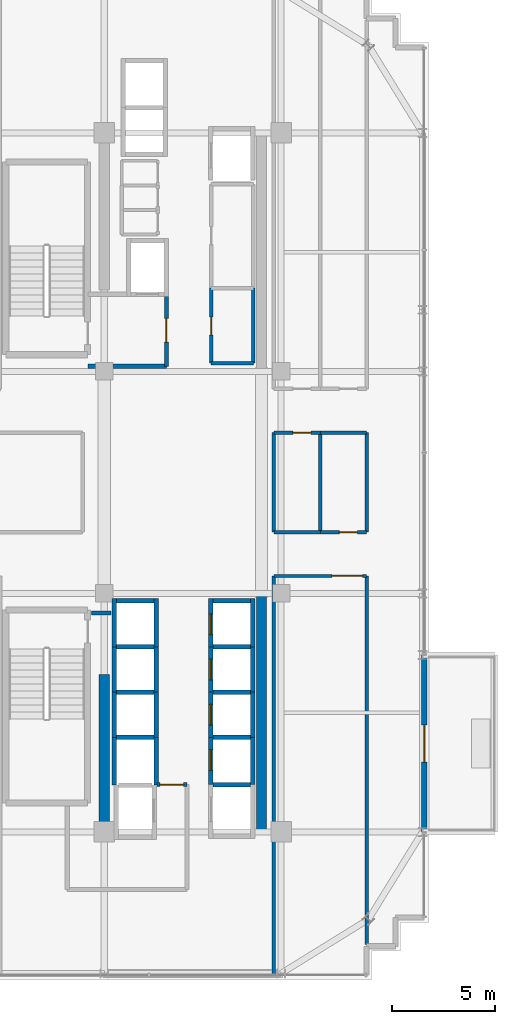
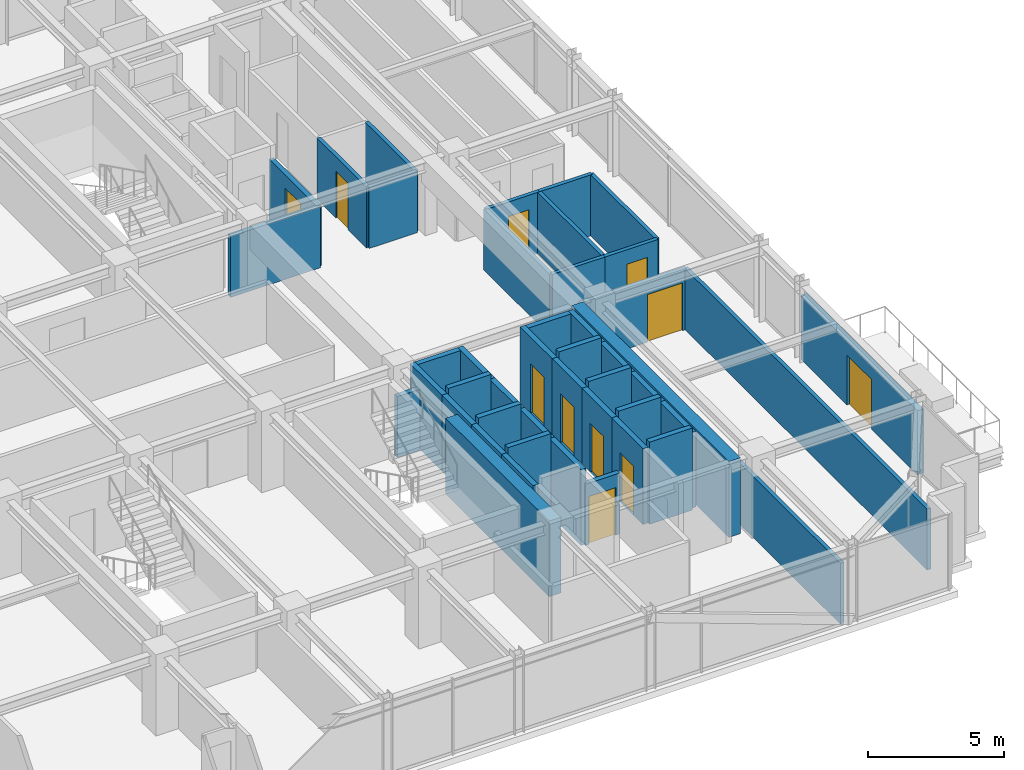
# One storey, part 31 of 36: 45 walls, 11 doors, 11 openings.
"""IFC4 building model written with IfcOpenShell, lengths in metres."""

from ifc_helpers import new_model, si_unit, direction, frame, frame_2d, origin, place, context, subcontext, project, spatial, rectangle, extrude, source, transform, mapped, material, layer, layer_set, type_object, element, fill, save


model = new_model("IFC4")

# Units and contexts
model_context = context("Model", 3, precision=1e-05, world=origin(), true_north=direction((0.0, 1.0)))
body_context = subcontext(model_context, "Body", "Model", "MODEL_VIEW")
ifc_project = project(units=[si_unit("LENGTHUNIT", "METRE"), si_unit("AREAUNIT", "SQUARE_METRE"), si_unit("VOLUMEUNIT", "CUBIC_METRE"), si_unit("PLANEANGLEUNIT", "RADIAN"), si_unit("MASSUNIT", "GRAM", prefix="KILO")], contexts=[model_context])

# Site, building, storey
site_placement = place(None, origin())
site = spatial("IfcSite", under=ifc_project, at=site_placement, CompositionType="ELEMENT")
building_placement = place(site_placement, origin())
building = spatial("IfcBuilding", under=site, at=building_placement, Name="Nahalor Promenade Grand Hotel", CompositionType="ELEMENT")
storey_placement = place(building_placement, frame((0.0, 0.0, 234.5)))
storey = spatial("IfcBuildingStorey", under=building, at=storey_placement, Name="L60", CompositionType="ELEMENT", Elevation=234.5)

# Walls
ifc_material_1 = material(Name="Concrete B-60 (C50/60)", Category="concrete")
ifc_layer_1 = layer(ifc_material_1, 0.5)
ifc_layer_set_1 = layer_set([ifc_layer_1], Name="Concrete B-60 (C50/60)")
wall_type_1 = type_object("IfcWallType", Name="Wall-CoreShear-500", PredefinedType="SHEAR", material=ifc_layer_set_1)
shared_shape_1 = source(origin(), body_context, "Body", "SweptSolid", [
    extrude(rectangle(XDim=7.64990234375, YDim=0.5, at=frame_2d((3.824951171875, 0.0))), origin(), (0.0, 0.0, 1.0), 3.409912109375),
])
wall_1_placement = place(storey_placement, frame((8.39990234375, -17.0, 0.0), z_axis=(0.0, 0.0, 1.0), x_axis=(0.0, 1.0, 0.0)))
element("IfcWall", 1, at=wall_1_placement, inside=storey, type_object=wall_type_1, Name="CWALL-L60-SW", PredefinedType="SHEAR", context=body_context, shape_type="MappedRepresentation", body=[
    mapped(shared_shape_1, transform((0.0, 0.0, 0.0), scale=1.0)),
])
shared_shape_2 = source(origin(), body_context, "Body", "SweptSolid", [
    extrude(rectangle(XDim=11.60009765625, YDim=0.5, at=frame_2d((5.800048828125, 0.0))), origin(), (0.0, 0.0, 1.0), 3.409912109375),
])
wall_2_placement = place(storey_placement, frame((16.050048828125, -17.0, 0.0), z_axis=(0.0, 0.0, 1.0), x_axis=(0.0, 1.0, 0.0)))
element("IfcWall", 2, at=wall_2_placement, inside=storey, type_object=wall_type_1, Name="CWALL-L60-SE", PredefinedType="SHEAR", context=body_context, shape_type="MappedRepresentation", body=[
    mapped(shared_shape_2, transform((0.0, 0.0, 0.0), scale=1.0)),
])

# Wall, opening, door
ifc_material_2 = material(Name="Concrete B-50 (C40/50)", Category="concrete")
ifc_layer_2 = layer(ifc_material_2, 0.219970703125)
ifc_layer_set_2 = layer_set([ifc_layer_2], Name="Concrete B-50 (C40/50)")
wall_type_2 = type_object("IfcWallType", Name="Wall-LiftShaft-220", PredefinedType="SHEAR", material=ifc_layer_set_2)
shared_shape_3 = source(origin(), body_context, "Body", "SweptSolid", [
    extrude(rectangle(XDim=2.360107421875, YDim=0.219970703125, at=frame_2d((1.18017578125, 0.0))), origin(), (0.0, 0.0, 1.0), 3.409912109375),
])
wall_3_placement = place(storey_placement, frame((13.580078125, -8.0, 0.0), z_axis=(0.0, 0.0, 1.0), x_axis=(0.0, 1.0, 0.0)))
wall_3 = element("IfcWall", 3, at=wall_3_placement, inside=storey, type_object=wall_type_2, Name="L60 Lift PL5 Hoistway Wall W", PredefinedType="SHEAR", context=body_context, shape_type="MappedRepresentation", body=[
    mapped(shared_shape_3, transform((0.0, 0.0, 0.0), scale=1.0)),
])
opening_1_placement = place(wall_3_placement, frame((0.60009765625, 0.0, 0.0)))
opening_1 = element("IfcOpeningElement", 4, at=opening_1_placement, cuts=wall_3, Name="Opening LD-01", PredefinedType="OPENING", context=body_context, shape_type="SweptSolid", body=[
    extrude(rectangle(XDim=1.0, YDim=2.199951171875, at=frame_2d((0.5, 1.10009765625))), frame((0.0, 0.119873046875, 0.0), z_axis=(0.0, -1.0, 0.0), x_axis=(1.0, 0.0, 0.0)), (0.0, 0.0, 1.0), 0.239990234375),
])
ifc_material_3 = material(Name="Steel S355JR", Category="steel")
door_type_1 = type_object("IfcDoorType", Name="Door-LiftLanding-1000", OperationType="DOUBLE_DOOR_SLIDING", PredefinedType="DOOR", material=ifc_material_3)
shared_shape_4 = source(origin(), body_context, "Body", "SweptSolid", [
    extrude(rectangle(XDim=1.0, YDim=2.199951171875, at=frame_2d((0.5, 1.10009765625))), frame((0.0, 0.02490234375, 0.0), z_axis=(0.0, -1.0, 0.0), x_axis=(1.0, 0.0, 0.0)), (0.0, 0.0, 1.0), 0.050048828125),
])
door_1_placement = place(opening_1_placement, origin())
door_1 = element("IfcDoor", 5, at=door_1_placement, inside=storey, type_object=door_type_1, Name="DR-LIFT-PL5-L60", OperationType="DOUBLE_DOOR_SLIDING", OverallHeight=2.199951171875, OverallWidth=1.0, PredefinedType="DOOR", context=body_context, shape_type="MappedRepresentation", body=[
    mapped(shared_shape_4, transform((0.0, 0.0, 0.0), scale=1.0)),
])
fill(opening_1, door_1)

# Walls
for number, where, z_axis, x_axis, name in (
    (6, (15.6201171875, -8.0, 0.0), (0.0, 0.0, 1.0), (0.0, 1.0, 0.0), "L60 Lift PL5 Hoistway Wall E"),
    (7, (8.8798828125, -8.0, 0.0), (0.0, 0.0, 1.0), (0.0, 1.0, 0.0), "L60 Lift PL9 Hoistway Wall W"),
    (8, (10.919921875, -8.0, 0.0), (0.0, 0.0, 1.0), (0.0, 1.0, 0.0), "L60 Lift PL9 Hoistway Wall E"),
):
    element("IfcWall", number, at=place(storey_placement, frame(where, z_axis=z_axis, x_axis=x_axis)), inside=storey, type_object=wall_type_2, Name=name, PredefinedType="SHEAR", context=body_context, shape_type="MappedRepresentation", body=[
        mapped(shared_shape_3, transform((0.0, 0.0, 0.0), scale=1.0)),
    ])
shared_shape_5 = source(origin(), body_context, "Body", "SweptSolid", [
    extrude(rectangle(XDim=1.820068359375, YDim=0.219970703125, at=frame_2d((0.91015625, 0.0))), origin(), (0.0, 0.0, 1.0), 3.409912109375),
])
for number, where, z_axis, x_axis, name in (
    (9, (13.68994140625, -5.75, 0.0), (0.0, 0.0, 1.0), (1.0, 0.0, 0.0), "L60 Lift PL5 Hoistway Wall N"),
    (10, (8.989990234375, -5.75, 0.0), (0.0, 0.0, 1.0), (1.0, 0.0, 0.0), "L60 Lift PL9 Hoistway Wall N"),
):
    element("IfcWall", number, at=place(storey_placement, frame(where, z_axis=z_axis, x_axis=x_axis)), inside=storey, type_object=wall_type_2, Name=name, PredefinedType="SHEAR", context=body_context, shape_type="MappedRepresentation", body=[
        mapped(shared_shape_5, transform((0.0, 0.0, 0.0), scale=1.0)),
    ])

# Wall, opening, door
shared_shape_6 = source(origin(), body_context, "Body", "SweptSolid", [
    extrude(rectangle(XDim=2.199951171875, YDim=0.219970703125, at=frame_2d((1.10009765625, 0.0))), origin(), (0.0, 0.0, 1.0), 3.409912109375),
])
wall_4_placement = place(storey_placement, frame((13.580078125, -10.199951171875, 0.0), z_axis=(0.0, 0.0, 1.0), x_axis=(0.0, 1.0, 0.0)))
wall_4 = element("IfcWall", 11, at=wall_4_placement, inside=storey, type_object=wall_type_2, Name="L60 Lift PL6 Hoistway Wall W", PredefinedType="SHEAR", context=body_context, shape_type="MappedRepresentation", body=[
    mapped(shared_shape_6, transform((0.0, 0.0, 0.0), scale=1.0)),
])
opening_2_placement = place(wall_4_placement, frame((0.60009765625, 0.0, 0.0)))
opening_2 = element("IfcOpeningElement", 12, at=opening_2_placement, cuts=wall_4, Name="Opening LD-01", PredefinedType="OPENING", context=body_context, shape_type="SweptSolid", body=[
    extrude(rectangle(XDim=1.0, YDim=2.199951171875, at=frame_2d((0.5, 1.10009765625))), frame((0.0, 0.119873046875, 0.0), z_axis=(0.0, -1.0, 0.0), x_axis=(1.0, 0.0, 0.0)), (0.0, 0.0, 1.0), 0.239990234375),
])
door_2_placement = place(opening_2_placement, origin())
door_2 = element("IfcDoor", 13, at=door_2_placement, inside=storey, type_object=door_type_1, Name="DR-LIFT-PL6-L60", OperationType="DOUBLE_DOOR_SLIDING", OverallHeight=2.199951171875, OverallWidth=1.0, PredefinedType="DOOR", context=body_context, shape_type="MappedRepresentation", body=[
    mapped(shared_shape_4, transform((0.0, 0.0, 0.0), scale=1.0)),
])
fill(opening_2, door_2)

# Wall
wall_5_placement = place(storey_placement, frame((15.6201171875, -10.199951171875, 0.0), z_axis=(0.0, 0.0, 1.0), x_axis=(0.0, 1.0, 0.0)))
element("IfcWall", 14, at=wall_5_placement, inside=storey, type_object=wall_type_2, Name="L60 Lift PL6 Hoistway Wall E", PredefinedType="SHEAR", context=body_context, shape_type="MappedRepresentation", body=[
    mapped(shared_shape_6, transform((0.0, 0.0, 0.0), scale=1.0)),
])

# Wall, opening, door
wall_6_placement = place(storey_placement, frame((13.580078125, -12.39990234375, 0.0), z_axis=(0.0, 0.0, 1.0), x_axis=(0.0, 1.0, 0.0)))
wall_6 = element("IfcWall", 15, at=wall_6_placement, inside=storey, type_object=wall_type_2, Name="L60 Lift PL7 Hoistway Wall W", PredefinedType="SHEAR", context=body_context, shape_type="MappedRepresentation", body=[
    mapped(shared_shape_6, transform((0.0, 0.0, 0.0), scale=1.0)),
])
opening_3_placement = place(wall_6_placement, frame((0.60009765625, 0.0, 0.0)))
opening_3 = element("IfcOpeningElement", 16, at=opening_3_placement, cuts=wall_6, Name="Opening LD-01", PredefinedType="OPENING", context=body_context, shape_type="SweptSolid", body=[
    extrude(rectangle(XDim=1.0, YDim=2.199951171875, at=frame_2d((0.5, 1.10009765625))), frame((0.0, 0.119873046875, 0.0), z_axis=(0.0, -1.0, 0.0), x_axis=(1.0, 0.0, 0.0)), (0.0, 0.0, 1.0), 0.239990234375),
])
door_3_placement = place(opening_3_placement, origin())
door_3 = element("IfcDoor", 17, at=door_3_placement, inside=storey, type_object=door_type_1, Name="DR-LIFT-PL7-L60", OperationType="DOUBLE_DOOR_SLIDING", OverallHeight=2.199951171875, OverallWidth=1.0, PredefinedType="DOOR", context=body_context, shape_type="MappedRepresentation", body=[
    mapped(shared_shape_4, transform((0.0, 0.0, 0.0), scale=1.0)),
])
fill(opening_3, door_3)

# Walls
for number, where, z_axis, x_axis, name in (
    (18, (15.6201171875, -12.39990234375, 0.0), (0.0, 0.0, 1.0), (0.0, 1.0, 0.0), "L60 Lift PL7 Hoistway Wall E"),
    (19, (8.8798828125, -10.199951171875, 0.0), (0.0, 0.0, 1.0), (0.0, 1.0, 0.0), "L60 Lift PL10 Hoistway Wall W"),
    (20, (10.919921875, -10.199951171875, 0.0), (0.0, 0.0, 1.0), (0.0, 1.0, 0.0), "L60 Lift PL10 Hoistway Wall E"),
    (21, (8.8798828125, -12.39990234375, 0.0), (0.0, 0.0, 1.0), (0.0, 1.0, 0.0), "L60 Lift PL11 Hoistway Wall W"),
    (22, (10.919921875, -12.39990234375, 0.0), (0.0, 0.0, 1.0), (0.0, 1.0, 0.0), "L60 Lift PL11 Hoistway Wall E"),
):
    element("IfcWall", number, at=place(storey_placement, frame(where, z_axis=z_axis, x_axis=x_axis)), inside=storey, type_object=wall_type_2, Name=name, PredefinedType="SHEAR", context=body_context, shape_type="MappedRepresentation", body=[
        mapped(shared_shape_6, transform((0.0, 0.0, 0.0), scale=1.0)),
    ])
shared_shape_7 = source(origin(), body_context, "Body", "SweptSolid", [
    extrude(rectangle(XDim=1.820068359375, YDim=0.219970703125, at=frame_2d((0.91015625, 0.0))), origin(), (0.0, 0.0, 1.0), 3.699951171875),
])
for number, where, z_axis, x_axis, name in (
    (23, (13.68994140625, -8.0, 0.0), (0.0, 0.0, 1.0), (1.0, 0.0, 0.0), "L60 Lift PL6 Hoistway Wall N"),
    (24, (13.68994140625, -10.199951171875, 0.0), (0.0, 0.0, 1.0), (1.0, 0.0, 0.0), "L60 Lift PL7 Hoistway Wall N"),
    (25, (13.68994140625, -12.39990234375, 0.0), (0.0, 0.0, 1.0), (1.0, 0.0, 0.0), "L60 Lift PL8 Hoistway Wall N"),
    (26, (8.989990234375, -8.0, 0.0), (0.0, 0.0, 1.0), (1.0, 0.0, 0.0), "L60 Lift PL10 Hoistway Wall N"),
    (27, (8.989990234375, -10.199951171875, 0.0), (0.0, 0.0, 1.0), (1.0, 0.0, 0.0), "L60 Lift PL11 Hoistway Wall N"),
    (28, (8.989990234375, -12.39990234375, 0.0), (0.0, 0.0, 1.0), (1.0, 0.0, 0.0), "L60 Lift PL12 Hoistway Wall N"),
    (29, (13.68994140625, -14.699951171875, 0.0), (0.0, 0.0, 1.0), (1.0, 0.0, 0.0), "L60 Lift SV2 Hoistway Wall N"),
):
    element("IfcWall", number, at=place(storey_placement, frame(where, z_axis=z_axis, x_axis=x_axis)), inside=storey, type_object=wall_type_2, Name=name, PredefinedType="SHEAR", context=body_context, shape_type="MappedRepresentation", body=[
        mapped(shared_shape_7, transform((0.0, 0.0, 0.0), scale=1.0)),
    ])

# Wall, opening, door
shared_shape_8 = source(origin(), body_context, "Body", "SweptSolid", [
    extrude(rectangle(XDim=2.300048828125, YDim=0.219970703125, at=frame_2d((1.14990234375, 0.0))), origin(), (0.0, 0.0, 1.0), 3.409912109375),
])
wall_7_placement = place(storey_placement, frame((13.580078125, -14.699951171875, 0.0), z_axis=(0.0, 0.0, 1.0), x_axis=(0.0, 1.0, 0.0)))
wall_7 = element("IfcWall", 30, at=wall_7_placement, inside=storey, type_object=wall_type_2, Name="L60 Lift PL8 Hoistway Wall W", PredefinedType="SHEAR", context=body_context, shape_type="MappedRepresentation", body=[
    mapped(shared_shape_8, transform((0.0, 0.0, 0.0), scale=1.0)),
])
opening_4_placement = place(wall_7_placement, frame((0.699951171875, 0.0, 0.0)))
opening_4 = element("IfcOpeningElement", 31, at=opening_4_placement, cuts=wall_7, Name="Opening LD-01", PredefinedType="OPENING", context=body_context, shape_type="SweptSolid", body=[
    extrude(rectangle(XDim=1.0, YDim=2.199951171875, at=frame_2d((0.5, 1.10009765625))), frame((0.0, 0.119873046875, 0.0), z_axis=(0.0, -1.0, 0.0), x_axis=(1.0, 0.0, 0.0)), (0.0, 0.0, 1.0), 0.239990234375),
])
door_4_placement = place(opening_4_placement, origin())
door_4 = element("IfcDoor", 32, at=door_4_placement, inside=storey, type_object=door_type_1, Name="DR-LIFT-PL8-L60", OperationType="DOUBLE_DOOR_SLIDING", OverallHeight=2.199951171875, OverallWidth=1.0, PredefinedType="DOOR", context=body_context, shape_type="MappedRepresentation", body=[
    mapped(shared_shape_4, transform((0.0, 0.0, 0.0), scale=1.0)),
])
fill(opening_4, door_4)

# Walls
wall_8_placement = place(storey_placement, frame((15.6201171875, -14.699951171875, 0.0), z_axis=(0.0, 0.0, 1.0), x_axis=(0.0, 1.0, 0.0)))
element("IfcWall", 33, at=wall_8_placement, inside=storey, type_object=wall_type_2, Name="L60 Lift PL8 Hoistway Wall E", PredefinedType="SHEAR", context=body_context, shape_type="MappedRepresentation", body=[
    mapped(shared_shape_8, transform((0.0, 0.0, 0.0), scale=1.0)),
])
shared_shape_9 = source(origin(), body_context, "Body", "SweptSolid", [
    extrude(rectangle(XDim=2.3251953125, YDim=0.219970703125, at=frame_2d((1.16259765625, 0.0))), origin(), (0.0, 0.0, 1.0), 3.409912109375),
])
for number, where, z_axis, x_axis, name in (
    (34, (8.8798828125, -14.72509765625, 0.0), (0.0, 0.0, 1.0), (0.0, 1.0, 0.0), "L60 Lift PL12 Hoistway Wall W"),
    (35, (10.919921875, -14.72509765625, 0.0), (0.0, 0.0, 1.0), (0.0, 1.0, 0.0), "L60 Lift PL12 Hoistway Wall E"),
):
    element("IfcWall", number, at=place(storey_placement, frame(where, z_axis=z_axis, x_axis=x_axis)), inside=storey, type_object=wall_type_2, Name=name, PredefinedType="SHEAR", context=body_context, shape_type="MappedRepresentation", body=[
        mapped(shared_shape_9, transform((0.0, 0.0, 0.0), scale=1.0)),
    ])

# Wall, opening, door
ifc_material_4 = material(Name="Concrete B-40 (C32/40)", Category="concrete")
ifc_layer_3 = layer(ifc_material_4, 0.260009765625)
ifc_layer_set_3 = layer_set([ifc_layer_3], Name="Concrete B-40 (C32/40)")
wall_type_3 = type_object("IfcWallType", Name="Wall-BalconyWall-260", PredefinedType="STANDARD", material=ifc_layer_set_3)
shared_shape_10 = source(origin(), body_context, "Body", "SweptSolid", [
    extrude(rectangle(XDim=8.60009765625, YDim=0.260009765625, at=frame_2d((4.300048828125, 0.0))), origin(), (0.0, 0.0, 1.0), 2.889892578125),
])
wall_9_placement = place(storey_placement, frame((23.9599609375, -17.0, 0.0), z_axis=(0.0, 0.0, 1.0), x_axis=(0.0, 1.0, 0.0)))
wall_9 = element("IfcWall", 36, at=wall_9_placement, inside=storey, type_object=wall_type_3, Name="W-L60-BALC-E-2", PredefinedType="STANDARD", context=body_context, shape_type="MappedRepresentation", body=[
    mapped(shared_shape_10, transform((0.0, 0.0, 0.0), scale=1.0)),
])
opening_5_placement = place(wall_9_placement, frame((3.39990234375, 0.0, 0.0)))
opening_5 = element("IfcOpeningElement", 37, at=opening_5_placement, cuts=wall_9, Name="Opening D-BC1", PredefinedType="OPENING", context=body_context, shape_type="SweptSolid", body=[
    extrude(rectangle(XDim=1.800048828125, YDim=2.25, at=frame_2d((0.89990234375, 1.125))), frame((0.0, 0.139892578125, 0.0), z_axis=(0.0, -1.0, 0.0), x_axis=(1.0, 0.0, 0.0)), (0.0, 0.0, 1.0), 0.280029296875),
])
ifc_material_5 = material(Name="Anodised Bronze Aluminium EN AW-6063 T6", Category="aluminium")
door_type_2 = type_object("IfcDoorType", Name="Door-BalconySlide-1800", OperationType="DOUBLE_DOOR_SLIDING", PredefinedType="DOOR", material=ifc_material_5)
shared_shape_11 = source(origin(), body_context, "Body", "SweptSolid", [
    extrude(rectangle(XDim=1.800048828125, YDim=2.25, at=frame_2d((0.89990234375, 1.125))), frame((0.0, 0.02490234375, 0.0), z_axis=(0.0, -1.0, 0.0), x_axis=(1.0, 0.0, 0.0)), (0.0, 0.0, 1.0), 0.050048828125),
])
door_5_placement = place(opening_5_placement, frame((1.800048828125, 0.0, 0.0), z_axis=(0.0, 0.0, 1.0), x_axis=(-1.0, 0.0, 0.0)))
door_5 = element("IfcDoor", 38, at=door_5_placement, inside=storey, type_object=door_type_2, Name="DR-L60-BALC-E-2", OperationType="DOUBLE_DOOR_SLIDING", OverallHeight=2.25, OverallWidth=1.800048828125, PredefinedType="DOOR", context=body_context, shape_type="MappedRepresentation", body=[
    mapped(shared_shape_11, transform((0.0, 0.0, 0.0), scale=1.0)),
])
fill(opening_5, door_5)

# Wall
ifc_layer_4 = layer(ifc_material_4, 0.199951171875)
ifc_layer_set_4 = layer_set([ifc_layer_4], Name="Concrete B-40 (C32/40)")
wall_type_4 = type_object("IfcWallType", Name="Wall-PartFire-200", PredefinedType="PARTITIONING", material=ifc_layer_set_4)
shared_shape_12 = source(origin(), body_context, "Body", "SweptSolid", [
    extrude(rectangle(XDim=3.81982421875, YDim=0.199951171875, at=frame_2d((1.909912109375, 0.0))), origin(), (0.0, 0.0, 1.0), 2.75),
])
wall_10_placement = place(storey_placement, frame((7.60009765625, 5.64990234375, 0.0), z_axis=(0.0, 0.0, 1.0), x_axis=(1.0, 0.0, 0.0)))
element("IfcWall", 39, at=wall_10_placement, inside=storey, type_object=wall_type_4, Name="W-L60-FF1-S", PredefinedType="PARTITIONING", context=body_context, shape_type="MappedRepresentation", body=[
    mapped(shared_shape_12, transform((0.0, 0.0, 0.0), scale=1.0)),
])

# Wall, opening, door
shared_shape_13 = source(origin(), body_context, "Body", "SweptSolid", [
    extrude(rectangle(XDim=3.5, YDim=0.199951171875, at=frame_2d((1.75, 0.0))), origin(), (0.0, 0.0, 1.0), 2.75),
])
wall_11_placement = place(storey_placement, frame((11.419921875, 5.64990234375, 0.0), z_axis=(0.0, 0.0, 1.0), x_axis=(0.0, 1.0, 0.0)))
wall_11 = element("IfcWall", 40, at=wall_11_placement, inside=storey, type_object=wall_type_4, Name="W-L60-FF1-E", PredefinedType="PARTITIONING", context=body_context, shape_type="MappedRepresentation", body=[
    mapped(shared_shape_13, transform((0.0, 0.0, 0.0), scale=1.0)),
])
opening_6_placement = place(wall_11_placement, frame((1.175048828125, 0.0, 0.0)))
opening_6 = element("IfcOpeningElement", 41, at=opening_6_placement, cuts=wall_11, Name="Opening D-FF1", PredefinedType="OPENING", context=body_context, shape_type="SweptSolid", body=[
    extrude(rectangle(XDim=1.14990234375, YDim=2.14990234375, at=frame_2d((0.574951171875, 1.074951171875))), frame((0.0, 0.10986328125, 0.0), z_axis=(0.0, -1.0, 0.0), x_axis=(1.0, 0.0, 0.0)), (0.0, 0.0, 1.0), 0.219970703125),
])
door_type_3 = type_object("IfcDoorType", Name="Door-FFLobby-1150", OperationType="NOTDEFINED", PredefinedType="DOOR", material=ifc_material_3)
shared_shape_14 = source(origin(), body_context, "Body", "SweptSolid", [
    extrude(rectangle(XDim=1.14990234375, YDim=2.14990234375, at=frame_2d((0.574951171875, 1.074951171875))), frame((0.0, 0.02490234375, 0.0), z_axis=(0.0, -1.0, 0.0), x_axis=(1.0, 0.0, 0.0)), (0.0, 0.0, 1.0), 0.050048828125),
])
door_6_placement = place(opening_6_placement, frame((1.14990234375, 0.0, 0.0), z_axis=(0.0, 0.0, 1.0), x_axis=(-1.0, 0.0, 0.0)))
door_6 = element("IfcDoor", 42, at=door_6_placement, inside=storey, type_object=door_type_3, Name="DR-L60-FFL1", OperationType="SINGLE_SWING_RIGHT", OverallHeight=2.14990234375, OverallWidth=1.14990234375, PredefinedType="DOOR", context=body_context, shape_type="MappedRepresentation", body=[
    mapped(shared_shape_14, transform((0.0, 0.0, 0.0), scale=1.0)),
])
fill(opening_6, door_6)

shared_shape_15 = source(origin(), body_context, "Body", "SweptSolid", [
    extrude(rectangle(XDim=1.4599609375, YDim=0.199951171875, at=frame_2d((0.72998046875, 0.0))), origin(), (0.0, 0.0, 1.0), 2.75),
])
wall_12_placement = place(storey_placement, frame((10.9599609375, -14.699951171875, 0.0), z_axis=(0.0, 0.0, 1.0), x_axis=(1.0, 0.0, 0.0)))
wall_12 = element("IfcWall", 43, at=wall_12_placement, inside=storey, type_object=wall_type_4, Name="W-L60-FF2-N1", PredefinedType="PARTITIONING", context=body_context, shape_type="MappedRepresentation", body=[
    mapped(shared_shape_15, transform((0.0, 0.0, 0.0), scale=1.0)),
])
opening_7_placement = place(wall_12_placement, frame((0.14501953125, 0.0, 0.0)))
opening_7 = element("IfcOpeningElement", 44, at=opening_7_placement, cuts=wall_12, Name="Opening D-FF1", PredefinedType="OPENING", context=body_context, shape_type="SweptSolid", body=[
    extrude(rectangle(XDim=1.14990234375, YDim=2.14990234375, at=frame_2d((0.574951171875, 1.074951171875))), frame((0.0, 0.10986328125, 0.0), z_axis=(0.0, -1.0, 0.0), x_axis=(1.0, 0.0, 0.0)), (0.0, 0.0, 1.0), 0.219970703125),
])
door_7_placement = place(opening_7_placement, origin())
door_7 = element("IfcDoor", 45, at=door_7_placement, inside=storey, type_object=door_type_3, Name="DR-L60-FFL2", OperationType="SINGLE_SWING_LEFT", OverallHeight=2.14990234375, OverallWidth=1.14990234375, PredefinedType="DOOR", context=body_context, shape_type="MappedRepresentation", body=[
    mapped(shared_shape_14, transform((0.0, 0.0, 0.0), scale=1.0)),
])
fill(opening_7, door_7)

# Walls
shared_shape_16 = source(origin(), body_context, "Body", "SweptSolid", [
    extrude(rectangle(XDim=0.969970703125, YDim=0.199951171875, at=frame_2d((0.48486328125, 0.0))), origin(), (0.0, 0.0, 1.0), 2.75),
])
wall_13_placement = place(storey_placement, frame((7.77001953125, -6.35009765625, 0.0), z_axis=(0.0, 0.0, 1.0), x_axis=(1.0, 0.0, 0.0)))
element("IfcWall", 46, at=wall_13_placement, inside=storey, type_object=wall_type_4, Name="W-L60-FF2-N2", PredefinedType="PARTITIONING", context=body_context, shape_type="MappedRepresentation", body=[
    mapped(shared_shape_16, transform((0.0, 0.0, 0.0), scale=1.0)),
])
ifc_material_6 = material(Name="Acoustic Mineral Gypsum", Category="gypsum")
ifc_layer_5 = layer(ifc_material_6, 0.159912109375)
ifc_layer_set_5 = layer_set([ifc_layer_5], Name="Acoustic Mineral Gypsum")
wall_type_5 = type_object("IfcWallType", Name="Wall-PartCorridor-160", PredefinedType="PARTITIONING", material=ifc_layer_set_5)
shared_shape_17 = source(origin(), body_context, "Body", "SweptSolid", [
    extrude(rectangle(XDim=2.0498046875, YDim=0.159912109375, at=frame_2d((1.02490234375, 0.0))), origin(), (0.0, 0.0, 1.0), 2.75),
])
wall_14_placement = place(storey_placement, frame((13.60009765625, 5.800048828125, 0.0), z_axis=(0.0, 0.0, 1.0), x_axis=(1.0, 0.0, 0.0)))
element("IfcWall", 47, at=wall_14_placement, inside=storey, type_object=wall_type_5, Name="W-L60-FRB1A-S", PredefinedType="PARTITIONING", context=body_context, shape_type="MappedRepresentation", body=[
    mapped(shared_shape_17, transform((0.0, 0.0, 0.0), scale=1.0)),
])
shared_shape_18 = source(origin(), body_context, "Body", "SweptSolid", [
    extrude(rectangle(XDim=2.255126953125, YDim=0.159912109375, at=frame_2d((1.12744140625, 0.0))), origin(), (0.0, 0.0, 1.0), 2.75),
])
wall_15_placement = place(storey_placement, frame((16.64990234375, -2.419921875, 0.0), z_axis=(0.0, 0.0, 1.0), x_axis=(1.0, 0.0, 0.0)))
element("IfcWall", 48, at=wall_15_placement, inside=storey, type_object=wall_type_5, Name="W-L60-ECW1-S", PredefinedType="PARTITIONING", context=body_context, shape_type="MappedRepresentation", body=[
    mapped(shared_shape_18, transform((0.0, 0.0, 0.0), scale=1.0)),
])

# Wall, opening, door
wall_16_placement = place(storey_placement, frame((16.64990234375, 2.419921875, 0.0), z_axis=(0.0, 0.0, 1.0), x_axis=(1.0, 0.0, 0.0)))
wall_16 = element("IfcWall", 49, at=wall_16_placement, inside=storey, type_object=wall_type_5, Name="W-L60-ECW1-N", PredefinedType="PARTITIONING", context=body_context, shape_type="MappedRepresentation", body=[
    mapped(shared_shape_18, transform((0.0, 0.0, 0.0), scale=1.0)),
])
opening_8_placement = place(wall_16_placement, frame((0.924072265625, 0.0, 0.0)))
opening_8 = element("IfcOpeningElement", 50, at=opening_8_placement, cuts=wall_16, Name="Opening D-03", PredefinedType="OPENING", context=body_context, shape_type="SweptSolid", body=[
    extrude(rectangle(XDim=0.8798828125, YDim=2.10009765625, at=frame_2d((0.43994140625, 1.050048828125))), frame((0.0, 0.08984375, 0.0), z_axis=(0.0, -1.0, 0.0), x_axis=(1.0, 0.0, 0.0)), (0.0, 0.0, 1.0), 0.179931640625),
])
ifc_material_7 = material(Name="Fire-Rated Timber Composite", Category="wood")
door_type_4 = type_object("IfcDoorType", Name="Door-BathSwing-880", OperationType="NOTDEFINED", PredefinedType="DOOR", material=ifc_material_7)
shared_shape_19 = source(origin(), body_context, "Body", "SweptSolid", [
    extrude(rectangle(XDim=0.8798828125, YDim=2.10009765625, at=frame_2d((0.43994140625, 1.050048828125))), frame((0.0, 0.02490234375, 0.0), z_axis=(0.0, -1.0, 0.0), x_axis=(1.0, 0.0, 0.0)), (0.0, 0.0, 1.0), 0.050048828125),
])
door_8_placement = place(opening_8_placement, frame((0.8798828125, 0.0, 0.0), z_axis=(0.0, 0.0, 1.0), x_axis=(-1.0, 0.0, 0.0)))
door_8 = element("IfcDoor", 51, at=door_8_placement, inside=storey, type_object=door_type_4, Name="DR-L60-ECW1", OperationType="SINGLE_SWING_RIGHT", OverallHeight=2.10009765625, OverallWidth=0.8798828125, PredefinedType="DOOR", context=body_context, shape_type="MappedRepresentation", body=[
    mapped(shared_shape_19, transform((0.0, 0.0, 0.0), scale=1.0)),
])
fill(opening_8, door_8)

# Wall
shared_shape_20 = source(origin(), body_context, "Body", "SweptSolid", [
    extrude(rectangle(XDim=19.349853515625, YDim=0.159912109375, at=frame_2d((9.6748046875, 0.0))), origin(), (0.0, 0.0, 1.0), 2.75),
])
wall_17_placement = place(storey_placement, frame((16.64990234375, -23.89990234375, 0.0), z_axis=(0.0, 0.0, 1.0), x_axis=(0.0, 1.0, 0.0)))
element("IfcWall", 52, at=wall_17_placement, inside=storey, type_object=wall_type_5, Name="W-L60-ESE-W", PredefinedType="PARTITIONING", context=body_context, shape_type="MappedRepresentation", body=[
    mapped(shared_shape_20, transform((0.0, 0.0, 0.0), scale=1.0)),
])

# Wall, opening, door
shared_shape_21 = source(origin(), body_context, "Body", "SweptSolid", [
    extrude(rectangle(XDim=2.2548828125, YDim=0.159912109375, at=frame_2d((1.12744140625, 0.0))), origin(), (0.0, 0.0, 1.0), 2.75),
])
wall_18_placement = place(storey_placement, frame((18.905029296875, -2.419921875, 0.0), z_axis=(0.0, 0.0, 1.0), x_axis=(1.0, 0.0, 0.0)))
wall_18 = element("IfcWall", 53, at=wall_18_placement, inside=storey, type_object=wall_type_5, Name="W-L60-ECW2-S", PredefinedType="PARTITIONING", context=body_context, shape_type="MappedRepresentation", body=[
    mapped(shared_shape_21, transform((0.0, 0.0, 0.0), scale=1.0)),
])
opening_9_placement = place(wall_18_placement, frame((0.924072265625, 0.0, 0.0)))
opening_9 = element("IfcOpeningElement", 54, at=opening_9_placement, cuts=wall_18, Name="Opening D-03", PredefinedType="OPENING", context=body_context, shape_type="SweptSolid", body=[
    extrude(rectangle(XDim=0.8798828125, YDim=2.10009765625, at=frame_2d((0.43994140625, 1.050048828125))), frame((0.0, 0.08984375, 0.0), z_axis=(0.0, -1.0, 0.0), x_axis=(1.0, 0.0, 0.0)), (0.0, 0.0, 1.0), 0.179931640625),
])
door_9_placement = place(opening_9_placement, origin())
door_9 = element("IfcDoor", 55, at=door_9_placement, inside=storey, type_object=door_type_4, Name="DR-L60-ECW2", OperationType="SINGLE_SWING_LEFT", OverallHeight=2.10009765625, OverallWidth=0.8798828125, PredefinedType="DOOR", context=body_context, shape_type="MappedRepresentation", body=[
    mapped(shared_shape_19, transform((0.0, 0.0, 0.0), scale=1.0)),
])
fill(opening_9, door_9)

# Walls
wall_19_placement = place(storey_placement, frame((18.905029296875, 2.419921875, 0.0), z_axis=(0.0, 0.0, 1.0), x_axis=(1.0, 0.0, 0.0)))
element("IfcWall", 56, at=wall_19_placement, inside=storey, type_object=wall_type_5, Name="W-L60-ECW2-N", PredefinedType="PARTITIONING", context=body_context, shape_type="MappedRepresentation", body=[
    mapped(shared_shape_21, transform((0.0, 0.0, 0.0), scale=1.0)),
])
shared_shape_22 = source(origin(), body_context, "Body", "SweptSolid", [
    extrude(rectangle(XDim=17.929931640625, YDim=0.159912109375, at=frame_2d((8.96484375, 0.0))), origin(), (0.0, 0.0, 1.0), 2.75),
])
wall_20_placement = place(storey_placement, frame((21.159912109375, -22.47998046875, 0.0), z_axis=(0.0, 0.0, 1.0), x_axis=(0.0, 1.0, 0.0)))
element("IfcWall", 57, at=wall_20_placement, inside=storey, type_object=wall_type_5, Name="W-L60-ESE-E", PredefinedType="PARTITIONING", context=body_context, shape_type="MappedRepresentation", body=[
    mapped(shared_shape_22, transform((0.0, 0.0, 0.0), scale=1.0)),
])
shared_shape_23 = source(origin(), body_context, "Body", "SweptSolid", [
    extrude(rectangle(XDim=4.83984375, YDim=0.159912109375, at=frame_2d((2.419921875, 0.0))), origin(), (0.0, 0.0, 1.0), 2.75),
])
for number, where, z_axis, x_axis, name in (
    (58, (16.64990234375, -2.419921875, 0.0), (0.0, 0.0, 1.0), (0.0, 1.0, 0.0), "W-L60-ECW1-W"),
    (59, (18.905029296875, -2.419921875, 0.0), (0.0, 0.0, 1.0), (0.0, 1.0, 0.0), "W-L60-ECW1-E"),
    (60, (21.159912109375, -2.419921875, 0.0), (0.0, 0.0, 1.0), (0.0, 1.0, 0.0), "W-L60-ECW2-E"),
):
    element("IfcWall", number, at=place(storey_placement, frame(where, z_axis=z_axis, x_axis=x_axis)), inside=storey, type_object=wall_type_5, Name=name, PredefinedType="PARTITIONING", context=body_context, shape_type="MappedRepresentation", body=[
        mapped(shared_shape_23, transform((0.0, 0.0, 0.0), scale=1.0)),
    ])

# Wall, opening, door
shared_shape_24 = source(origin(), body_context, "Body", "SweptSolid", [
    extrude(rectangle(XDim=3.64990234375, YDim=0.159912109375, at=frame_2d((1.824951171875, 0.0))), origin(), (0.0, 0.0, 1.0), 2.75),
])
wall_21_placement = place(storey_placement, frame((13.60009765625, 5.800048828125, 0.0), z_axis=(0.0, 0.0, 1.0), x_axis=(0.0, 1.0, 0.0)))
wall_21 = element("IfcWall", 61, at=wall_21_placement, inside=storey, type_object=wall_type_5, Name="W-L60-FRB1A-W", PredefinedType="PARTITIONING", context=body_context, shape_type="MappedRepresentation", body=[
    mapped(shared_shape_24, transform((0.0, 0.0, 0.0), scale=1.0)),
])
opening_10_placement = place(wall_21_placement, frame((1.360107421875, 0.0, 0.0)))
opening_10 = element("IfcOpeningElement", 62, at=opening_10_placement, cuts=wall_21, Name="Opening D-03", PredefinedType="OPENING", context=body_context, shape_type="SweptSolid", body=[
    extrude(rectangle(XDim=0.8798828125, YDim=2.10009765625, at=frame_2d((0.43994140625, 1.050048828125))), frame((0.0, 0.08984375, 0.0), z_axis=(0.0, -1.0, 0.0), x_axis=(1.0, 0.0, 0.0)), (0.0, 0.0, 1.0), 0.179931640625),
])
door_10_placement = place(opening_10_placement, frame((0.8798828125, 0.0, 0.0), z_axis=(0.0, 0.0, 1.0), x_axis=(-1.0, 0.0, 0.0)))
door_10 = element("IfcDoor", 63, at=door_10_placement, inside=storey, type_object=door_type_4, Name="DR-L60-FRB1A", OperationType="SINGLE_SWING_LEFT", OverallHeight=2.10009765625, OverallWidth=0.8798828125, PredefinedType="DOOR", context=body_context, shape_type="MappedRepresentation", body=[
    mapped(shared_shape_19, transform((0.0, 0.0, 0.0), scale=1.0)),
])
fill(opening_10, door_10)

# Wall
wall_22_placement = place(storey_placement, frame((15.64990234375, 5.800048828125, 0.0), z_axis=(0.0, 0.0, 1.0), x_axis=(0.0, 1.0, 0.0)))
element("IfcWall", 64, at=wall_22_placement, inside=storey, type_object=wall_type_5, Name="W-L60-FRB1A-E", PredefinedType="PARTITIONING", context=body_context, shape_type="MappedRepresentation", body=[
    mapped(shared_shape_24, transform((0.0, 0.0, 0.0), scale=1.0)),
])

# Wall, opening, door
shared_shape_25 = source(origin(), body_context, "Body", "SweptSolid", [
    extrude(rectangle(XDim=4.510009765625, YDim=0.159912109375, at=frame_2d((2.2548828125, 0.0))), origin(), (0.0, 0.0, 1.0), 2.75),
])
wall_23_placement = place(storey_placement, frame((16.64990234375, -4.550048828125, 0.0), z_axis=(0.0, 0.0, 1.0), x_axis=(1.0, 0.0, 0.0)))
wall_23 = element("IfcWall", 65, at=wall_23_placement, inside=storey, type_object=wall_type_5, Name="W-L60-ESE-N", PredefinedType="PARTITIONING", context=body_context, shape_type="MappedRepresentation", body=[
    mapped(shared_shape_25, transform((0.0, 0.0, 0.0), scale=1.0)),
])
opening_11_placement = place(wall_23_placement, frame((2.820068359375, 0.0, 0.0)))
opening_11 = element("IfcOpeningElement", 66, at=opening_11_placement, cuts=wall_23, Name="Opening D-02", PredefinedType="OPENING", context=body_context, shape_type="SweptSolid", body=[
    extrude(rectangle(XDim=1.5, YDim=2.14990234375, at=frame_2d((0.75, 1.074951171875))), frame((0.0, 0.08984375, 0.0), z_axis=(0.0, -1.0, 0.0), x_axis=(1.0, 0.0, 0.0)), (0.0, 0.0, 1.0), 0.179931640625),
])
door_type_5 = type_object("IfcDoorType", Name="Door-SuiteDouble-1500", OperationType="DOUBLE_DOOR_SINGLE_SWING", PredefinedType="DOOR", material=ifc_material_7)
shared_shape_26 = source(origin(), body_context, "Body", "SweptSolid", [
    extrude(rectangle(XDim=1.5, YDim=2.14990234375, at=frame_2d((0.75, 1.074951171875))), frame((0.0, 0.02490234375, 0.0), z_axis=(0.0, -1.0, 0.0), x_axis=(1.0, 0.0, 0.0)), (0.0, 0.0, 1.0), 0.050048828125),
])
door_11_placement = place(opening_11_placement, frame((1.5, 0.0, 0.0), z_axis=(0.0, 0.0, 1.0), x_axis=(-1.0, 0.0, 0.0)))
door_11 = element("IfcDoor", 67, at=door_11_placement, inside=storey, type_object=door_type_5, Name="DR-L60-ESE", OperationType="DOUBLE_DOOR_SINGLE_SWING", OverallHeight=2.14990234375, OverallWidth=1.5, PredefinedType="DOOR", context=body_context, shape_type="MappedRepresentation", body=[
    mapped(shared_shape_26, transform((0.0, 0.0, 0.0), scale=1.0)),
])
fill(opening_11, door_11)

save(model, "model.ifc")
